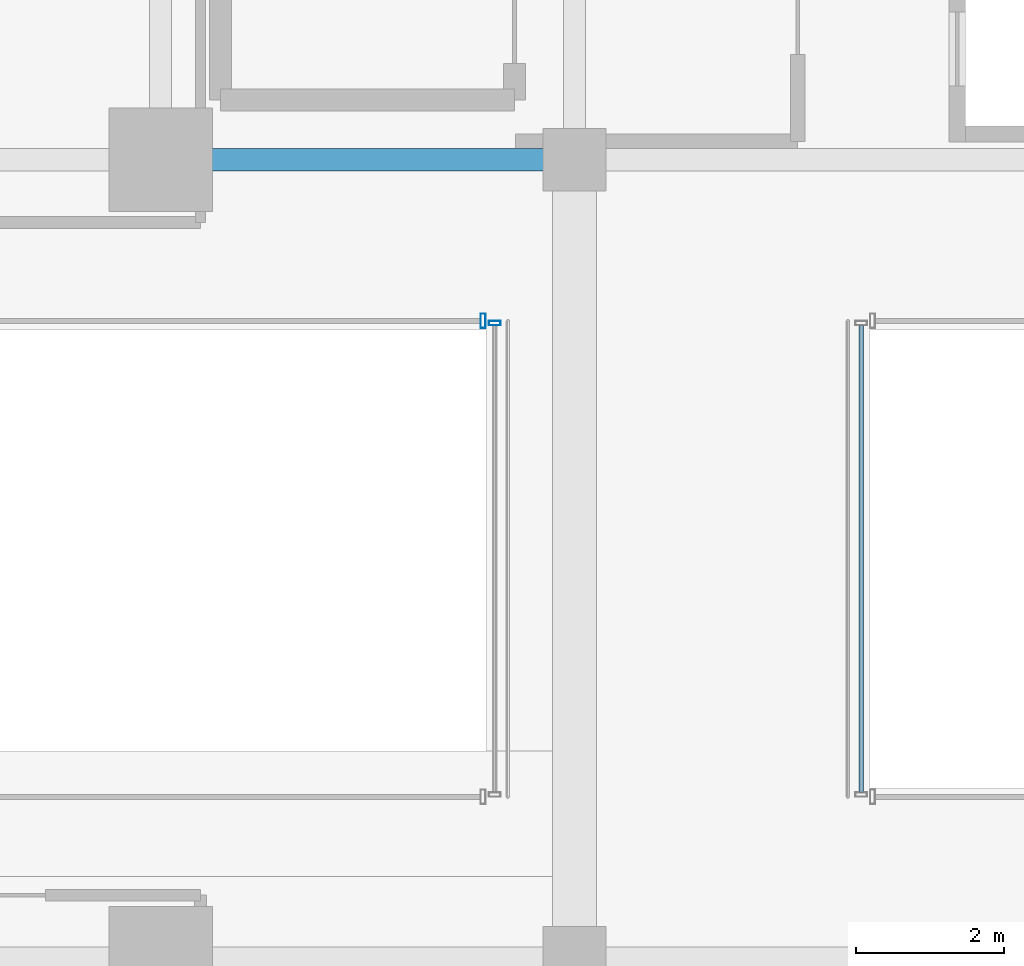
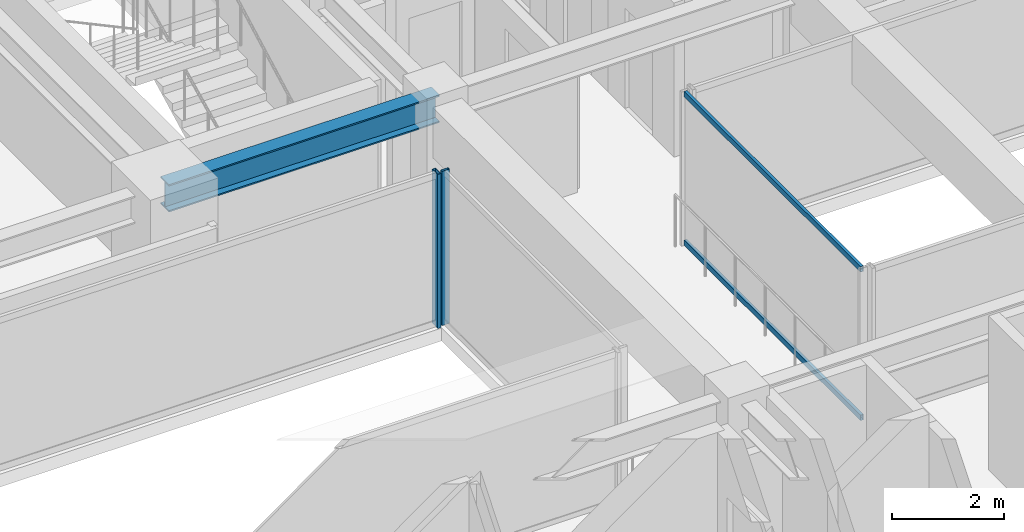
# One storey, part 20 of 42: 4 members, 1 beam, 3 elements without a shape of their own.
"""IFC4 building model written with IfcOpenShell, lengths in metres."""

from ifc_helpers import new_model, si_unit, direction, frame, origin, origin_2d, place, context, subcontext, project, spatial, hollow_rectangle, i_section, extrude, source, transform, mapped, material, material_profile, profile_set, type_object, element, aggregate, save


model = new_model("IFC4")

# Units and contexts
model_context = context("Model", 3, precision=1e-05, world=origin(), true_north=direction((0.0, 1.0)))
body_context = subcontext(model_context, "Body", "Model", "MODEL_VIEW")
ifc_project = project(units=[si_unit("LENGTHUNIT", "METRE"), si_unit("AREAUNIT", "SQUARE_METRE"), si_unit("VOLUMEUNIT", "CUBIC_METRE"), si_unit("PLANEANGLEUNIT", "RADIAN"), si_unit("MASSUNIT", "GRAM", prefix="KILO")], contexts=[model_context])

# Site, building, storey
site_placement = place(None, origin())
site = spatial("IfcSite", under=ifc_project, at=site_placement, CompositionType="ELEMENT")
building_placement = place(site_placement, origin())
building = spatial("IfcBuilding", under=site, at=building_placement, Name="Nahalor Promenade Grand Hotel", CompositionType="ELEMENT")
storey_placement = place(building_placement, frame((0.0, 0.0, 61.60009765625)))
storey = spatial("IfcBuildingStorey", under=building, at=storey_placement, Name="L14", CompositionType="ELEMENT", Elevation=61.60009765625)

# Beam
ifc_material_1 = material(Name="Steel S355JR", Category="steel")
ifc_material_profile_1 = material_profile(ifc_material_1, i_section(OverallWidth=0.3, OverallDepth=0.6, WebThickness=0.0155, FlangeThickness=0.03, at=origin_2d()), Name="HEB 600")
ifc_profile_set_1 = profile_set([ifc_material_profile_1], Name="Steel S355JR")
beam_type = type_object("IfcBeamType", Name="Beam-Girder-HEB600", PredefinedType="BEAM", material=ifc_profile_set_1)
shared_shape_1 = source(origin(), body_context, "Body", "SweptSolid", [
    extrude(i_section(OverallWidth=0.3, OverallDepth=0.6, WebThickness=0.0155, FlangeThickness=0.03, at=origin_2d()), origin(), (0.0, 0.0, 1.0), 5.599853515625),
])
beam_placement = place(storey_placement, frame((2.800048828125, 5.39990234375, 3.06982421875), z_axis=(1.0, 0.0, 0.0), x_axis=(0.0, 1.0, 0.0)))
element("IfcBeam", 1, at=beam_placement, inside=storey, type_object=beam_type, Name="BM-L14-GX-2-4", PredefinedType="BEAM", context=body_context, shape_type="MappedRepresentation", body=[
    mapped(shared_shape_1, transform((0.0, 0.0, 0.0), scale=1.0)),
])

# Curtain wall, member
ifc_material_2 = material(Name="Anodised Bronze Aluminium EN AW-6063 T6", Category="aluminium")
curtain_wall_type_1 = type_object("IfcCurtainWallType", Name="CW3 Elliptical-Void Collar Unitised Curtain Wall", PredefinedType="USERDEFINED", material=ifc_material_2)
curtain_wall_1_placement = place(storey_placement, origin())
curtain_wall_1 = element("IfcCurtainWall", 2, at=curtain_wall_1_placement, inside=storey, type_object=curtain_wall_type_1, Name="L14 Curtain Wall CW-L14-VOID-WN1", ObjectType="UNITISED_CURTAIN_WALL", PredefinedType="USERDEFINED")
ifc_material_profile_2 = material_profile(ifc_material_2, hollow_rectangle(XDim=0.07, YDim=0.2, WallThickness=0.005, at=origin_2d()), Name="CWM 70x200x5")
ifc_profile_set_2 = profile_set([ifc_material_profile_2], Name="Anodised Bronze Aluminium EN AW-6063 T6")
member_type_1 = type_object("IfcMemberType", Name="CWM3 Void Collar Mullion 70x200", PredefinedType="MULLION", material=ifc_profile_set_2)
shared_shape_2 = source(origin(), body_context, "Body", "SweptSolid", [
    extrude(hollow_rectangle(XDim=0.07, YDim=0.2, WallThickness=0.005, at=origin_2d()), origin(), (0.0, 0.0, 1.0), 3.369873046875),
])
member_1_placement = place(storey_placement, frame((7.1650390625, 3.219970703125, 0.0), z_axis=(0.0, 0.0, 1.0), x_axis=(1.0, 0.0, 0.0)))
member_1 = element("IfcMember", 3, at=member_1_placement, type_object=member_type_1, Name="CW-L14-VOID-WN1 Mullion 3", PredefinedType="MULLION", context=body_context, shape_type="MappedRepresentation", body=[
    mapped(shared_shape_2, transform((0.0, 0.0, 0.0), scale=1.0)),
])
aggregate(curtain_wall_1, [member_1])

curtain_wall_type_2 = type_object("IfcCurtainWallType", Name="CW4 Low-Iron Sky-Gallery Bridge Curtain Wall", PredefinedType="USERDEFINED", material=ifc_material_2)
curtain_wall_2_placement = place(storey_placement, origin())
curtain_wall_2 = element("IfcCurtainWall", 4, at=curtain_wall_2_placement, inside=storey, type_object=curtain_wall_type_2, Name="L14 Curtain Wall CW-L14-BRG-W", ObjectType="UNITISED_CURTAIN_WALL", PredefinedType="USERDEFINED")
ifc_material_profile_3 = material_profile(ifc_material_2, hollow_rectangle(XDim=0.06, YDim=0.16, WallThickness=0.004, at=origin_2d()), Name="CWM 60x160x4")
ifc_profile_set_3 = profile_set([ifc_material_profile_3], Name="Anodised Bronze Aluminium EN AW-6063 T6")
member_type_2 = type_object("IfcMemberType", Name="CWM4 Sky-Gallery Slim Mullion 60x160", PredefinedType="MULLION", material=ifc_profile_set_3)
shared_shape_3 = source(origin(), body_context, "Body", "SweptSolid", [
    extrude(hollow_rectangle(XDim=0.06, YDim=0.16, WallThickness=0.004, at=origin_2d()), origin(), (0.0, 0.0, 1.0), 3.369873046875),
])
member_2_placement = place(storey_placement, frame((7.320068359375, 3.18994140625, 0.0), z_axis=(0.0, 0.0, 1.0), x_axis=(0.0, 1.0, 0.0)))
member_2 = element("IfcMember", 5, at=member_2_placement, type_object=member_type_2, Name="CW-L14-BRG-W Mullion 1", PredefinedType="MULLION", context=body_context, shape_type="MappedRepresentation", body=[
    mapped(shared_shape_3, transform((0.0, 0.0, 0.0), scale=1.0)),
])
aggregate(curtain_wall_2, [member_2])

# Curtain wall, members
curtain_wall_3_placement = place(storey_placement, origin())
curtain_wall_3 = element("IfcCurtainWall", 6, at=curtain_wall_3_placement, inside=storey, type_object=curtain_wall_type_2, Name="L14 Curtain Wall CW-L14-BRG-E", ObjectType="UNITISED_CURTAIN_WALL", PredefinedType="USERDEFINED")
ifc_material_profile_4 = material_profile(ifc_material_2, hollow_rectangle(XDim=0.06, YDim=0.12, WallThickness=0.004, at=origin_2d()), Name="CWT 60x120x4")
ifc_profile_set_4 = profile_set([ifc_material_profile_4], Name="Anodised Bronze Aluminium EN AW-6063 T6")
member_type_3 = type_object("IfcMemberType", Name="CWT4 Sky-Gallery Slim Transom 60x120", PredefinedType="USERDEFINED", material=ifc_profile_set_4)
shared_shape_4 = source(origin(), body_context, "Body", "SweptSolid", [
    extrude(hollow_rectangle(XDim=0.06, YDim=0.12, WallThickness=0.004, at=origin_2d()), origin(), (0.0, 0.0, 1.0), 6.31982421875),
])
member_3_placement = place(storey_placement, frame((12.280029296875, -3.159912109375, 0.059814453125), z_axis=(0.0, 1.0, 0.0), x_axis=(-1.0, 0.0, 0.0)))
member_3 = element("IfcMember", 7, at=member_3_placement, type_object=member_type_3, Name="CW-L14-BRG-E Transom 0-0", ObjectType="TRANSOM", PredefinedType="USERDEFINED", context=body_context, shape_type="MappedRepresentation", body=[
    mapped(shared_shape_4, transform((0.0, 0.0, 0.0), scale=1.0)),
])
member_4_placement = place(storey_placement, frame((12.280029296875, -3.159912109375, 3.309814453125), z_axis=(0.0, 1.0, 0.0), x_axis=(-1.0, 0.0, 0.0)))
member_4 = element("IfcMember", 8, at=member_4_placement, type_object=member_type_3, Name="CW-L14-BRG-E Transom 0-1", ObjectType="TRANSOM", PredefinedType="USERDEFINED", context=body_context, shape_type="MappedRepresentation", body=[
    mapped(shared_shape_4, transform((0.0, 0.0, 0.0), scale=1.0)),
])
aggregate(curtain_wall_3, [member_3, member_4])

save(model, "model.ifc")
